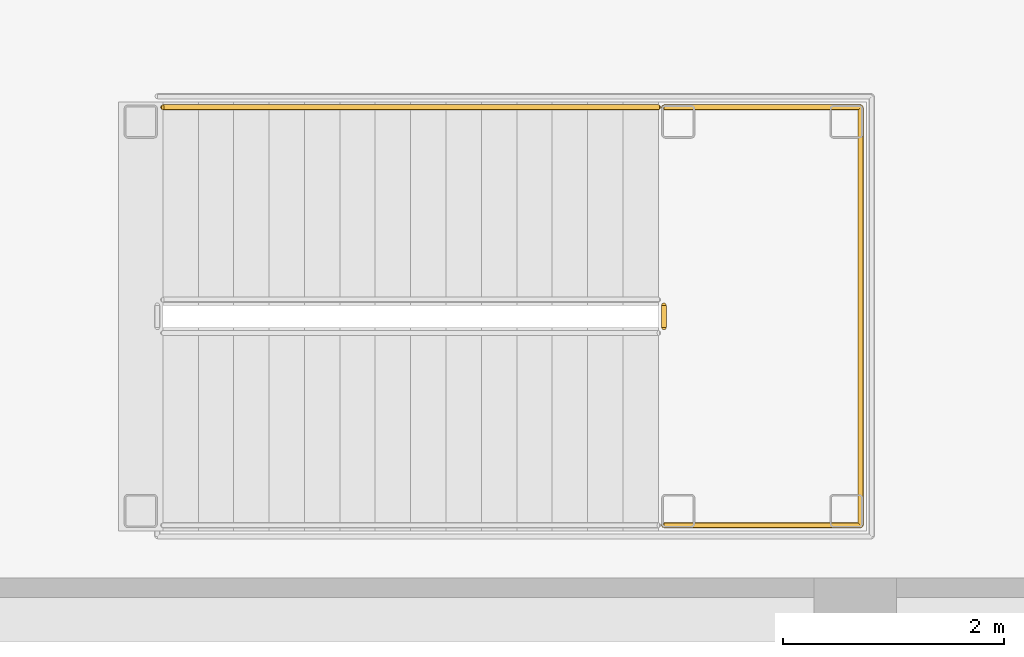
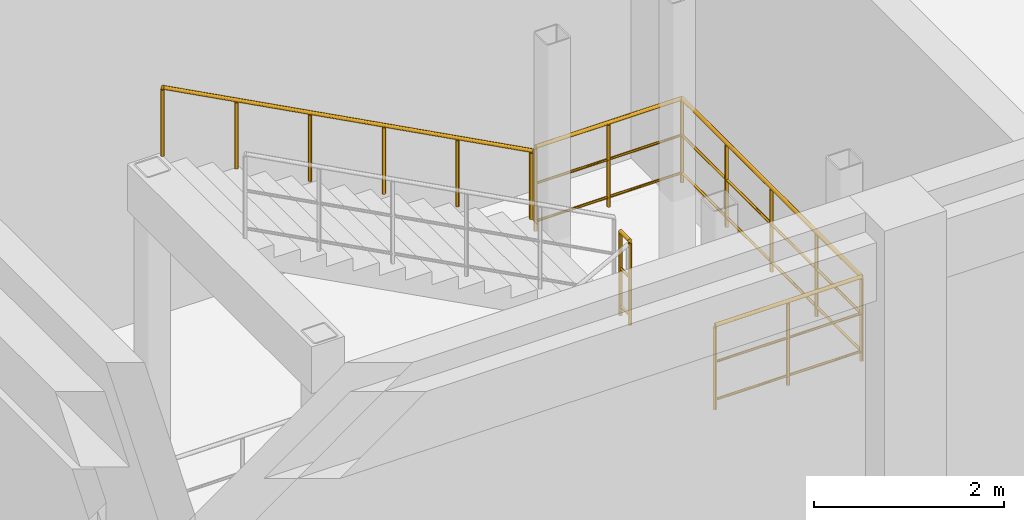
# One storey, part 118 of 128: 3 railings.
"""IFC4 building model written with IfcOpenShell, lengths in metres."""

import ifcopenshell
import ifcopenshell.guid

model = None  # the IFC model being written
_history = None  # IfcOwnerHistory: only IFC2X3 demands one
_inside = {}  # id of a spatial element -> (the spatial element, [elements in it])
_under = {}  # id of a project, library or spatial element -> (it, [spatial elements below it])
_declared = {}  # id of a project -> (the project, [libraries it declares])
_typed = {}  # id of a type object -> (the type object, [elements of that type])
_made_of = {}  # id of a material, layer set ... -> (it, [elements and type objects made of it])


def new_model(schema):
    """Start an empty IFC model of exactly this schema.

    Asked for "IFC4X3", IfcOpenShell would pick the latest addendum, in which some entities
    have other attributes; the version numbers below select the first issue.
    IFC2X3 requires an IfcOwnerHistory on every rooted entity: one is made here for all.
    """
    global model, _history
    if schema == "IFC4X3":
        model = ifcopenshell.file(schema_version=(4, 3, 0, 0))
    else:
        model = ifcopenshell.file(schema=schema)
    _inside.clear()
    _under.clear()
    _declared.clear()
    _typed.clear()
    _made_of.clear()
    _history = None
    if model.schema == "IFC2X3":
        org = make("IfcOrganization", Name="unknown")
        user = make(
            "IfcPersonAndOrganization",
            ThePerson=make("IfcPerson", FamilyName="unknown"),
            TheOrganization=org,
        )
        app = make(
            "IfcApplication",
            ApplicationDeveloper=org,
            Version="unknown",
            ApplicationFullName="unknown",
            ApplicationIdentifier="unknown",
        )
        _history = make(
            "IfcOwnerHistory",
            OwningUser=user,
            OwningApplication=app,
            ChangeAction="ADDED",
            CreationDate=0,
        )
    return model


def make(cls, **values):
    """One entity of the class cls with the attributes given. An attribute that is None is left unset."""
    return model.create_entity(
        cls, **{name: value for name, value in values.items() if value is not None}
    )


def rooted(cls, **values):
    """An entity with a GlobalId (a new one), such as an element, a storey or a relation."""
    return make(cls, GlobalId=ifcopenshell.guid.new(), OwnerHistory=_history, **values)


def si_unit(unit_type, name, prefix=None):
    """IfcSIUnit, for example si_unit("LENGTHUNIT", "METRE", prefix="MILLI")."""
    return make("IfcSIUnit", UnitType=unit_type, Prefix=prefix, Name=name)


def assignment(units):
    """IfcUnitAssignment: the units of a project."""
    return None if units is None else make("IfcUnitAssignment", Units=units)


def point(xyz):
    """IfcCartesianPoint."""
    return None if xyz is None else make("IfcCartesianPoint", Coordinates=xyz)


def direction(xyz):
    """IfcDirection."""
    return None if xyz is None else make("IfcDirection", DirectionRatios=xyz)


def frame(location, z_axis=None, x_axis=None):
    """IfcAxis2Placement3D, a coordinate frame: its origin and axes. An axis left out is left unset."""
    return make(
        "IfcAxis2Placement3D",
        Location=point(location),
        Axis=direction(z_axis),
        RefDirection=direction(x_axis),
    )


def frame_2d(location, x_axis=None):
    """IfcAxis2Placement2D, a coordinate frame in the plane: its origin and x axis."""
    return make(
        "IfcAxis2Placement2D", Location=point(location), RefDirection=direction(x_axis)
    )


def origin():
    """The frame at (0, 0, 0) with its axes left unset."""
    return frame((0.0, 0.0, 0.0))


def origin_2d():
    """The frame at (0, 0) in the plane with its x axis left unset."""
    return frame_2d((0.0, 0.0))


def place(relative_to, where):
    """IfcLocalPlacement: puts the frame where relative to a parent placement (None: the world)."""
    return make(
        "IfcLocalPlacement", PlacementRelTo=relative_to, RelativePlacement=where
    )


def context(
    kind, dimensions, precision=None, world=None, true_north=None, identifier=None
):
    """IfcGeometricRepresentationContext, for example the 3D "Model" context."""
    return make(
        "IfcGeometricRepresentationContext",
        ContextIdentifier=identifier,
        ContextType=kind,
        CoordinateSpaceDimension=dimensions,
        Precision=precision,
        WorldCoordinateSystem=world,
        TrueNorth=true_north,
    )


def subcontext(parent, identifier, kind, view, scale=None):
    """IfcGeometricRepresentationSubContext, for example "Body" below "Model"."""
    return make(
        "IfcGeometricRepresentationSubContext",
        ContextIdentifier=identifier,
        ContextType=kind,
        ParentContext=parent,
        TargetScale=scale,
        TargetView=view,
    )


def project(units=None, contexts=None):
    """IfcProject with its units and contexts."""
    return rooted(
        "IfcProject",
        Name="project",
        RepresentationContexts=contexts,
        UnitsInContext=assignment(units),
    )


def spatial(cls, under=None, at=None, **own):
    """A site, building, storey or space (cls), placed at a placement, below another one or the project."""
    s = rooted(cls, ObjectPlacement=at, **own)
    if under is not None:
        _under.setdefault(under.id(), (under, []))[1].append(s)
    return s


def profile(cls, at=None, kind="AREA", **sizes):
    """A parametric profile (cls). Its sizes go by their IFC names, for example OverallWidth=200.0."""
    return make(cls, ProfileType=kind, Position=at, **sizes)


def circle(**sizes):
    """IfcCircleProfileDef."""
    return profile("IfcCircleProfileDef", **sizes)


def extrude(swept, where, along, depth):
    """IfcExtrudedAreaSolid: the profile swept, set in the frame where, extruded along a direction by depth."""
    return make(
        "IfcExtrudedAreaSolid",
        SweptArea=swept,
        Position=where,
        ExtrudedDirection=direction(along),
        Depth=depth,
    )


def shape(context_of_items, identifier, shape_type, items):
    """IfcShapeRepresentation: the items that make up one representation, for example the "Body"."""
    return make(
        "IfcShapeRepresentation",
        ContextOfItems=context_of_items,
        RepresentationIdentifier=identifier,
        RepresentationType=shape_type,
        Items=items,
    )


def material(Name=None, Category=None):
    """IfcMaterial."""
    return make("IfcMaterial", Name=Name, Category=Category)


def made_of(thing, what):
    """Note that an element or type object is made of a material, layer set ...; save() writes the relation."""
    if what is not None:
        _made_of.setdefault(what.id(), (what, []))[1].append(thing)
    return thing


def type_object(cls, material=None, **own):
    """A type object (cls), such as IfcWallType, which elements share."""
    return made_of(rooted(cls, **own), material)


def element(
    cls,
    number,
    at=None,
    inside=None,
    cuts=None,
    type_object=None,
    material=None,
    context=None,
    identifier="Body",
    shape_type=None,
    held_by="IfcProductDefinitionShape",
    body=None,
    shapes=None,
    **own,
):
    """One element of the class cls, such as IfcWall. Its Tag is "e" and its number.

    at: its placement. inside: the storey or other place that contains it. cuts: it is an
    opening in that element (IfcRelVoidsElement). A single representation is given by context,
    identifier, shape_type and body (its items); several are given by shapes. held_by: the class
    of the entity that holds the representations. save() writes the other relations.
    """
    e = rooted(cls, Tag="e%d" % number, ObjectPlacement=at, **own)
    if body is not None:
        shapes = [shape(context, identifier, shape_type, body)]
    if shapes is not None:
        e.Representation = make(held_by, Representations=shapes)
    if inside is not None:
        _inside.setdefault(inside.id(), (inside, []))[1].append(e)
    if cuts is not None:
        rooted(
            "IfcRelVoidsElement", RelatingBuildingElement=cuts, RelatedOpeningElement=e
        )
    if type_object is not None:
        _typed.setdefault(type_object.id(), (type_object, []))[1].append(e)
    return made_of(e, material)


def aggregate(whole, parts):
    """IfcRelAggregates: a whole, such as a stair, and the parts it consists of."""
    return rooted("IfcRelAggregates", RelatingObject=whole, RelatedObjects=parts)


def save(model, path):
    """Write the relations noted so far, then the file.

    IfcRelAggregates (storeys below a building ...), IfcRelContainedInSpatialStructure (elements
    in a storey), IfcRelDefinesByType, IfcRelAssociatesMaterial and IfcRelDeclares: one each for
    every whole, place, type object, material and project.
    """
    for whole, parts in _under.values():
        aggregate(whole, parts)
    for where, things in _inside.values():
        rooted(
            "IfcRelContainedInSpatialStructure",
            RelatedElements=things,
            RelatingStructure=where,
        )
    for kind, things in _typed.values():
        rooted("IfcRelDefinesByType", RelatedObjects=things, RelatingType=kind)
    for what, things in _made_of.values():
        rooted("IfcRelAssociatesMaterial", RelatedObjects=things, RelatingMaterial=what)
    for by, libraries in _declared.values():
        rooted("IfcRelDeclares", RelatingContext=by, RelatedDefinitions=libraries)
    model.write(path)


model = new_model("IFC4")

# Units and contexts
model_context = context("Model", 3, precision=1e-05, world=origin(), true_north=direction((0.0, 1.0)))
body_context = subcontext(model_context, "Body", "Model", "MODEL_VIEW")
ifc_project = project(units=[si_unit("LENGTHUNIT", "METRE"), si_unit("AREAUNIT", "SQUARE_METRE"), si_unit("VOLUMEUNIT", "CUBIC_METRE"), si_unit("PLANEANGLEUNIT", "RADIAN"), si_unit("MASSUNIT", "GRAM", prefix="KILO")], contexts=[model_context])

# Site, building, storey
site_placement = place(None, origin())
site = spatial("IfcSite", under=ifc_project, at=site_placement, CompositionType="ELEMENT")
building_placement = place(site_placement, origin())
building = spatial("IfcBuilding", under=site, at=building_placement, Name="Miravela Opera House", CompositionType="ELEMENT")
storey_placement = place(building_placement, origin())
storey = spatial("IfcBuildingStorey", under=building, at=storey_placement, Name="L00", CompositionType="ELEMENT", Elevation=0.0)

# Railings
ifc_material_1 = material(Name="Brushed bronze continuous stair handrail")
railing_type_1 = type_object("IfcRailingType", Name="ARC-RAIL-HAND-900", PredefinedType="HANDRAIL", material=ifc_material_1)
railing_1_placement = place(storey_placement, frame((70.219970703125, 4.6298828125, 2.719970703125)))
element("IfcRailing", 1, at=railing_1_placement, inside=storey, type_object=railing_type_1, Name="L00 ST-06 stair handrail 2", PredefinedType="HANDRAIL", context=body_context, shape_type="SweptSolid", body=[
    extrude(circle(Radius=0.02392578125, at=origin_2d()), frame((0.0, 0.0, 0.8759765625), z_axis=(-0.883104503341, 0.0, 0.469176338042), x_axis=(0.0, -1.0, 0.0)), (0.0, 0.0, 1.0), 5.072998046875),
    extrude(circle(Radius=0.02099609375, at=origin_2d()), origin(), (0.0, 0.0, 1.0), 0.851806640625),
    extrude(circle(Radius=0.02099609375, at=origin_2d()), frame((-0.89599609375, 0.0, 0.47607421875)), (0.0, 0.0, 1.0), 0.851806640625),
    extrude(circle(Radius=0.02099609375, at=origin_2d()), frame((-1.7919921875, 0.0, 0.9521484375)), (0.0, 0.0, 1.0), 0.851806640625),
    extrude(circle(Radius=0.02099609375, at=origin_2d()), frame((-2.68798828125, 0.0, 1.427978515625)), (0.0, 0.0, 1.0), 0.851806640625),
    extrude(circle(Radius=0.02099609375, at=origin_2d()), frame((-3.583984375, 0.0, 1.904052734375)), (0.0, 0.0, 1.0), 0.851806640625),
    extrude(circle(Radius=0.02099609375, at=origin_2d()), frame((-4.47998046875, 0.0, 2.380126953125)), (0.0, 0.0, 1.0), 0.851806640625),
])
ifc_material_2 = material(Name="Painted wrought-iron stair guardrail")
railing_type_2 = type_object("IfcRailingType", Name="ARC-RAIL-STAIR-GUARD", PredefinedType="GUARDRAIL", material=ifc_material_2)
railing_2_placement = place(storey_placement, frame((70.27001953125, 2.639892578125, 2.550048828125)))
element("IfcRailing", 2, at=railing_2_placement, inside=storey, type_object=railing_type_2, Name="L00 ST-06 stair guard 2", PredefinedType="GUARDRAIL", context=body_context, shape_type="SweptSolid", body=[
    extrude(circle(Radius=0.02392578125, at=origin_2d()), frame((0.0, 0.0, 1.076171875), z_axis=(0.0, 1.0, 0.0), x_axis=(-1.0, 0.0, 0.0)), (0.0, 0.0, 1.0), 0.2001953125),
    extrude(circle(Radius=0.01611328125, at=origin_2d()), frame((0.0, 0.0, 0.60498046875), z_axis=(0.0, 1.0, 0.0), x_axis=(-1.0, 0.0, 0.0)), (0.0, 0.0, 1.0), 0.2001953125),
    extrude(circle(Radius=0.01611328125, at=origin_2d()), frame((0.0, 0.0, 0.1201171875), z_axis=(0.0, 1.0, 0.0), x_axis=(-1.0, 0.0, 0.0)), (0.0, 0.0, 1.0), 0.2001953125),
    extrude(circle(Radius=0.02099609375, at=origin_2d()), origin(), (0.0, 0.0, 1.0), 1.052001953125),
    extrude(circle(Radius=0.02099609375, at=origin_2d()), frame((0.0, 0.2001953125, 0.0)), (0.0, 0.0, 1.0), 1.052001953125),
])
railing_3_placement = place(storey_placement, frame((70.27001953125, 0.85009765625, 2.550048828125)))
element("IfcRailing", 3, at=railing_3_placement, inside=storey, type_object=railing_type_2, Name="Stair ST-06 Half-Landing Perimeter Guard (L00) 0060", PredefinedType="GUARDRAIL", context=body_context, shape_type="SweptSolid", body=[
    extrude(circle(Radius=0.02392578125, at=origin_2d()), frame((0.0, 0.0, 1.076171875), z_axis=(1.0, 0.0, 0.0), x_axis=(0.0, 1.0, 0.0)), (0.0, 0.0, 1.0), 1.780029296875),
    extrude(circle(Radius=0.01611328125, at=origin_2d()), frame((0.0, 0.0, 0.60498046875), z_axis=(1.0, 0.0, 0.0), x_axis=(0.0, 1.0, 0.0)), (0.0, 0.0, 1.0), 1.780029296875),
    extrude(circle(Radius=0.01611328125, at=origin_2d()), frame((0.0, 0.0, 0.1201171875), z_axis=(1.0, 0.0, 0.0), x_axis=(0.0, 1.0, 0.0)), (0.0, 0.0, 1.0), 1.780029296875),
    extrude(circle(Radius=0.02392578125, at=origin_2d()), frame((1.780029296875, 0.0, 1.076171875), z_axis=(0.0, 1.0, 0.0), x_axis=(-1.0, 0.0, 0.0)), (0.0, 0.0, 1.0), 3.77978515625),
    extrude(circle(Radius=0.01611328125, at=origin_2d()), frame((1.780029296875, 0.0, 0.60498046875), z_axis=(0.0, 1.0, 0.0), x_axis=(-1.0, 0.0, 0.0)), (0.0, 0.0, 1.0), 3.77978515625),
    extrude(circle(Radius=0.01611328125, at=origin_2d()), frame((1.780029296875, 0.0, 0.1201171875), z_axis=(0.0, 1.0, 0.0), x_axis=(-1.0, 0.0, 0.0)), (0.0, 0.0, 1.0), 3.77978515625),
    extrude(circle(Radius=0.02392578125, at=origin_2d()), frame((1.780029296875, 3.77978515625, 1.076171875), z_axis=(-1.0, 0.0, 0.0), x_axis=(0.0, -1.0, 0.0)), (0.0, 0.0, 1.0), 1.780029296875),
    extrude(circle(Radius=0.01611328125, at=origin_2d()), frame((1.780029296875, 3.77978515625, 0.60498046875), z_axis=(-1.0, 0.0, 0.0), x_axis=(0.0, -1.0, 0.0)), (0.0, 0.0, 1.0), 1.780029296875),
    extrude(circle(Radius=0.01611328125, at=origin_2d()), frame((1.780029296875, 3.77978515625, 0.1201171875), z_axis=(-1.0, 0.0, 0.0), x_axis=(0.0, -1.0, 0.0)), (0.0, 0.0, 1.0), 1.780029296875),
    extrude(circle(Radius=0.02099609375, at=origin_2d()), origin(), (0.0, 0.0, 1.0), 1.052001953125),
    extrude(circle(Radius=0.02099609375, at=origin_2d()), frame((0.89013671875, 0.0, 0.0)), (0.0, 0.0, 1.0), 1.052001953125),
    extrude(circle(Radius=0.02099609375, at=origin_2d()), frame((1.780029296875, 0.0, 0.0)), (0.0, 0.0, 1.0), 1.052001953125),
    extrude(circle(Radius=0.02099609375, at=origin_2d()), frame((1.780029296875, 0.94482421875, 0.0)), (0.0, 0.0, 1.0), 1.052001953125),
    extrude(circle(Radius=0.02099609375, at=origin_2d()), frame((1.780029296875, 1.889892578125, 0.0)), (0.0, 0.0, 1.0), 1.052001953125),
    extrude(circle(Radius=0.02099609375, at=origin_2d()), frame((1.780029296875, 2.8349609375, 0.0)), (0.0, 0.0, 1.0), 1.052001953125),
    extrude(circle(Radius=0.02099609375, at=origin_2d()), frame((1.780029296875, 3.77978515625, 0.0)), (0.0, 0.0, 1.0), 1.052001953125),
    extrude(circle(Radius=0.02099609375, at=origin_2d()), frame((0.89013671875, 3.77978515625, 0.0)), (0.0, 0.0, 1.0), 1.052001953125),
    extrude(circle(Radius=0.02099609375, at=origin_2d()), frame((0.0, 3.77978515625, 0.0)), (0.0, 0.0, 1.0), 1.052001953125),
])

save(model, "model.ifc")
